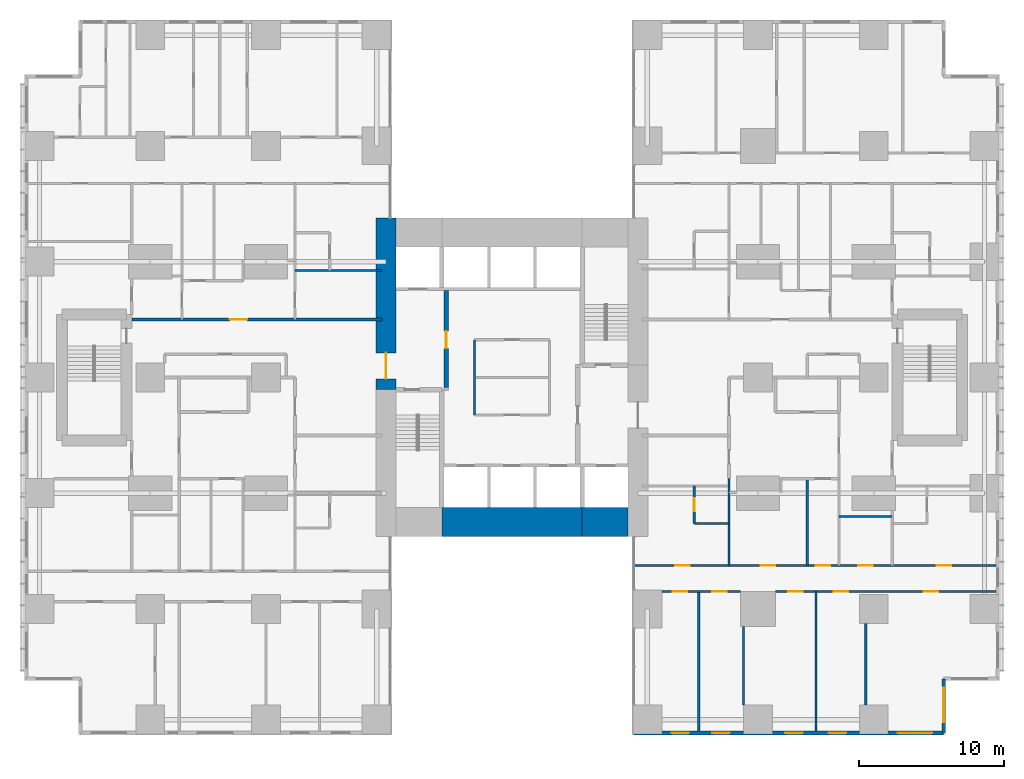
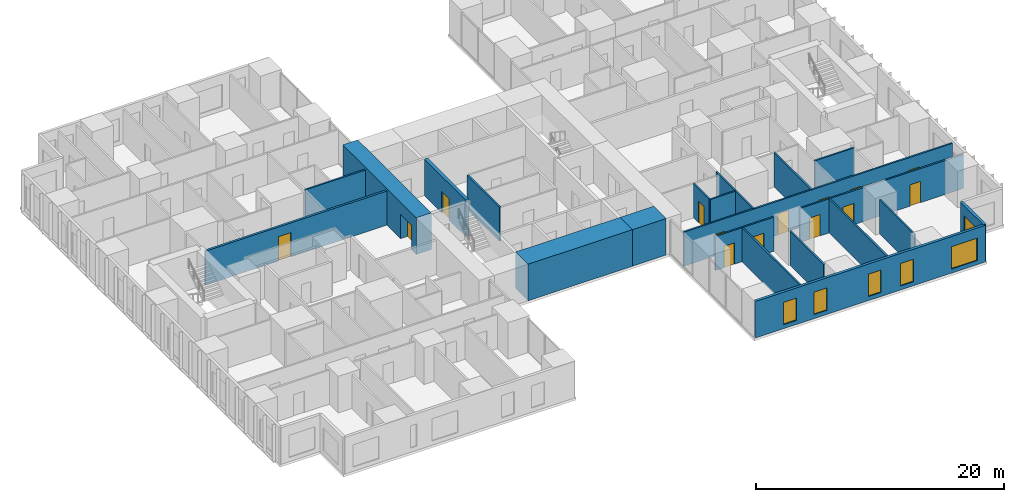
# One storey, part 14 of 20: 21 walls, 14 doors, 6 windows, 20 openings.
"""IFC4 building model written with IfcOpenShell, lengths in metres."""

from ifc_helpers import new_model, si_unit, direction, frame, frame_2d, origin, place, context, subcontext, project, spatial, rectangle, extrude, material, layer, layer_set, type_object, element, fill, save


model = new_model("IFC4")

# Units and contexts
model_context = context("Model", 3, precision=1e-05, world=origin(), true_north=direction((0.0, 1.0)))
body_context = subcontext(model_context, "Body", "Model", "MODEL_VIEW")
ifc_project = project(units=[si_unit("LENGTHUNIT", "METRE"), si_unit("AREAUNIT", "SQUARE_METRE"), si_unit("VOLUMEUNIT", "CUBIC_METRE"), si_unit("PLANEANGLEUNIT", "RADIAN"), si_unit("MASSUNIT", "GRAM", prefix="KILO")], contexts=[model_context])

# Site, building, storey
site_placement = place(None, origin())
site = spatial("IfcSite", under=ifc_project, at=site_placement, CompositionType="ELEMENT")
building_placement = place(site_placement, origin())
building = spatial("IfcBuilding", under=site, at=building_placement, Name="Cleftline Residences", CompositionType="ELEMENT")
storey_placement = place(building_placement, frame((0.0, 0.0, 117.800048828125)))
storey = spatial("IfcBuildingStorey", under=building, at=storey_placement, Name="L30", CompositionType="ELEMENT", Elevation=117.800048828125)

# Wall, opening, door
ifc_material_1 = material(Name="Concrete B70", Category="concrete")
ifc_layer_1 = layer(ifc_material_1, 1.39990234375)
ifc_layer_set_1 = layer_set([ifc_layer_1], Name="CORE WALL 1400")
wall_type_1 = type_object("IfcWallType", Name="CORE WALL 1400", PredefinedType="SHEAR", material=ifc_layer_set_1)
wall_1_placement = place(storey_placement, frame((24.300048828125, 23.14990234375, 0.0), z_axis=(0.0, 0.0, 1.0), x_axis=(0.0, 1.0, 0.0)))
wall_1 = element("IfcWall", 1, at=wall_1_placement, inside=storey, type_object=wall_type_1, Name="Core wall W", PredefinedType="SHEAR", context=body_context, shape_type="SweptSolid", body=[
    extrude(rectangle(XDim=11.85009765625, YDim=1.39990234375, at=frame_2d((5.925048828125, 0.0))), origin(), (0.0, 0.0, 1.0), 3.599853515625),
])
opening_1_placement = place(wall_1_placement, frame((0.75, 0.0, 0.0)))
opening_1 = element("IfcOpeningElement", 2, at=opening_1_placement, cuts=wall_1, Name="Opening D7", PredefinedType="OPENING", context=body_context, shape_type="SweptSolid", body=[
    extrude(rectangle(XDim=1.800048828125, YDim=2.39990234375, at=frame_2d((0.89990234375, 1.199951171875))), frame((0.0, 0.7099609375, 0.0), z_axis=(0.0, -1.0, 0.0), x_axis=(1.0, 0.0, 0.0)), (0.0, 0.0, 1.0), 1.419921875),
])
ifc_material_2 = material(Name="Steel", Category="steel")
door_type_1 = type_object("IfcDoorType", Name="WING DOOR 1800X2400", OperationType="DOUBLE_DOOR_DOUBLE_SWING", PredefinedType="DOOR", material=ifc_material_2)
door_1_placement = place(opening_1_placement, origin())
door_1 = element("IfcDoor", 3, at=door_1_placement, inside=storey, type_object=door_type_1, Name="West wing door", OperationType="DOUBLE_DOOR_DOUBLE_SWING", OverallHeight=2.39990234375, OverallWidth=1.800048828125, PredefinedType="DOOR", context=body_context, shape_type="SweptSolid", body=[
    extrude(rectangle(XDim=1.800048828125, YDim=2.39990234375, at=frame_2d((0.89990234375, 1.199951171875))), frame((0.0, 0.02490234375, 0.0), z_axis=(0.0, -1.0, 0.0), x_axis=(1.0, 0.0, 0.0)), (0.0, 0.0, 1.0), 0.050048828125),
])
fill(opening_1, door_1)

# Walls
ifc_material_3 = material(Name="Concrete B70", Category="concrete")
ifc_layer_2 = layer(ifc_material_3, 2.0)
ifc_layer_set_2 = layer_set([ifc_layer_2], Name="CORE WALL 2000")
wall_type_2 = type_object("IfcWallType", Name="CORE WALL 2000", PredefinedType="SHEAR", material=ifc_layer_set_2)
wall_2_placement = place(storey_placement, frame((28.14990234375, 14.0, 0.0), z_axis=(0.0, 0.0, 1.0), x_axis=(1.0, 0.0, 0.0)))
element("IfcWall", 4, at=wall_2_placement, inside=storey, type_object=wall_type_2, Name="Core wall S2", PredefinedType="SHEAR", context=body_context, shape_type="SweptSolid", body=[
    extrude(rectangle(XDim=9.7001953125, YDim=2.0, at=frame_2d((4.85009765625, 0.0))), origin(), (0.0, 0.0, 1.0), 3.599853515625),
])
wall_3_placement = place(storey_placement, frame((37.85009765625, 14.0, 0.0), z_axis=(0.0, 0.0, 1.0), x_axis=(1.0, 0.0, 0.0)))
element("IfcWall", 5, at=wall_3_placement, inside=storey, type_object=wall_type_2, Name="Core wall S3", PredefinedType="SHEAR", context=body_context, shape_type="SweptSolid", body=[
    extrude(rectangle(XDim=3.14990234375, YDim=2.0, at=frame_2d((1.574951171875, 0.0))), origin(), (0.0, 0.0, 1.0), 3.599853515625),
])

# Wall, openings, windows
ifc_material_4 = material(Name="Rendered reinforced concrete blockwork", Category="masonry")
ifc_layer_3 = layer(ifc_material_4, 0.25)
ifc_layer_set_3 = layer_set([ifc_layer_3], Name="EXTERNAL WALL 250")
wall_type_3 = type_object("IfcWallType", Name="EXTERNAL WALL 250", PredefinedType="SOLIDWALL", material=ifc_layer_set_3)
wall_4_placement = place(storey_placement, frame((41.425048828125, -0.574951171875, 0.0), z_axis=(0.0, 0.0, 1.0), x_axis=(1.0, 0.0, 0.0)))
wall_4 = element("IfcWall", 6, at=wall_4_placement, inside=storey, type_object=wall_type_3, Name="External wall", PredefinedType="SOLIDWALL", context=body_context, shape_type="SweptSolid", body=[
    extrude(rectangle(XDim=21.39990234375, YDim=0.25, at=frame_2d((10.699951171875, 0.0))), origin(), (0.0, 0.0, 1.0), 3.599853515625),
])
opening_2_placement = place(wall_4_placement, frame((2.60009765625, 0.0, 0.39990234375)))
opening_2 = element("IfcOpeningElement", 7, at=opening_2_placement, cuts=wall_4, Name="Opening W11", PredefinedType="OPENING", context=body_context, shape_type="SweptSolid", body=[
    extrude(rectangle(XDim=1.199951171875, YDim=2.199951171875, at=frame_2d((0.60009765625, 1.10009765625))), frame((0.0, 0.135009765625, 0.0), z_axis=(0.0, -1.0, 0.0), x_axis=(1.0, 0.0, 0.0)), (0.0, 0.0, 1.0), 0.27001953125),
])
opening_3_placement = place(wall_4_placement, frame((5.425048828125, 0.0, 0.39990234375)))
opening_3 = element("IfcOpeningElement", 8, at=opening_3_placement, cuts=wall_4, Name="Opening W11", PredefinedType="OPENING", context=body_context, shape_type="SweptSolid", body=[
    extrude(rectangle(XDim=1.199951171875, YDim=2.199951171875, at=frame_2d((0.60009765625, 1.10009765625))), frame((0.0, 0.135009765625, 0.0), z_axis=(0.0, -1.0, 0.0), x_axis=(1.0, 0.0, 0.0)), (0.0, 0.0, 1.0), 0.27001953125),
])
opening_4_placement = place(wall_4_placement, frame((10.47509765625, 0.0, 0.39990234375)))
opening_4 = element("IfcOpeningElement", 9, at=opening_4_placement, cuts=wall_4, Name="Opening W11", PredefinedType="OPENING", context=body_context, shape_type="SweptSolid", body=[
    extrude(rectangle(XDim=1.199951171875, YDim=2.199951171875, at=frame_2d((0.60009765625, 1.10009765625))), frame((0.0, 0.135009765625, 0.0), z_axis=(0.0, -1.0, 0.0), x_axis=(1.0, 0.0, 0.0)), (0.0, 0.0, 1.0), 0.27001953125),
])
opening_5_placement = place(wall_4_placement, frame((13.47509765625, 0.0, 0.39990234375)))
opening_5 = element("IfcOpeningElement", 10, at=opening_5_placement, cuts=wall_4, Name="Opening W11", PredefinedType="OPENING", context=body_context, shape_type="SweptSolid", body=[
    extrude(rectangle(XDim=1.199951171875, YDim=2.199951171875, at=frame_2d((0.60009765625, 1.10009765625))), frame((0.0, 0.135009765625, 0.0), z_axis=(0.0, -1.0, 0.0), x_axis=(1.0, 0.0, 0.0)), (0.0, 0.0, 1.0), 0.27001953125),
])
opening_6_placement = place(wall_4_placement, frame((18.22509765625, 0.0, 0.39990234375)))
opening_6 = element("IfcOpeningElement", 11, at=opening_6_placement, cuts=wall_4, Name="Opening W12", PredefinedType="OPENING", context=body_context, shape_type="SweptSolid", body=[
    extrude(rectangle(XDim=2.39990234375, YDim=2.199951171875, at=frame_2d((1.199951171875, 1.10009765625))), frame((0.0, 0.135009765625, 0.0), z_axis=(0.0, -1.0, 0.0), x_axis=(1.0, 0.0, 0.0)), (0.0, 0.0, 1.0), 0.27001953125),
])
ifc_material_5 = material(Name="Aluminium frame, clear double glazing", Category="aluminium")
window_type_1 = type_object("IfcWindowType", Name="WINDOW 1200X2200", PartitioningType="DOUBLE_PANEL_VERTICAL", PredefinedType="WINDOW", material=ifc_material_5)
window_1_placement = place(opening_2_placement, origin())
window_1 = element("IfcWindow", 12, at=window_1_placement, inside=storey, type_object=window_type_1, Name="Window", OverallHeight=2.199951171875, OverallWidth=1.199951171875, PartitioningType="SINGLE_PANEL", PredefinedType="WINDOW", context=body_context, shape_type="SweptSolid", body=[
    extrude(rectangle(XDim=1.199951171875, YDim=2.199951171875, at=frame_2d((0.60009765625, 1.10009765625))), frame((0.0, 0.030029296875, 0.0), z_axis=(0.0, -1.0, 0.0), x_axis=(1.0, 0.0, 0.0)), (0.0, 0.0, 1.0), 0.06005859375),
])
fill(opening_2, window_1)
window_2_placement = place(opening_3_placement, origin())
window_2 = element("IfcWindow", 13, at=window_2_placement, inside=storey, type_object=window_type_1, Name="Window", OverallHeight=2.199951171875, OverallWidth=1.199951171875, PartitioningType="SINGLE_PANEL", PredefinedType="WINDOW", context=body_context, shape_type="SweptSolid", body=[
    extrude(rectangle(XDim=1.199951171875, YDim=2.199951171875, at=frame_2d((0.60009765625, 1.10009765625))), frame((0.0, 0.030029296875, 0.0), z_axis=(0.0, -1.0, 0.0), x_axis=(1.0, 0.0, 0.0)), (0.0, 0.0, 1.0), 0.06005859375),
])
fill(opening_3, window_2)
window_3_placement = place(opening_4_placement, origin())
window_3 = element("IfcWindow", 14, at=window_3_placement, inside=storey, type_object=window_type_1, Name="Window", OverallHeight=2.199951171875, OverallWidth=1.199951171875, PartitioningType="SINGLE_PANEL", PredefinedType="WINDOW", context=body_context, shape_type="SweptSolid", body=[
    extrude(rectangle(XDim=1.199951171875, YDim=2.199951171875, at=frame_2d((0.60009765625, 1.10009765625))), frame((0.0, 0.030029296875, 0.0), z_axis=(0.0, -1.0, 0.0), x_axis=(1.0, 0.0, 0.0)), (0.0, 0.0, 1.0), 0.06005859375),
])
fill(opening_4, window_3)
window_4_placement = place(opening_5_placement, origin())
window_4 = element("IfcWindow", 15, at=window_4_placement, inside=storey, type_object=window_type_1, Name="Window", OverallHeight=2.199951171875, OverallWidth=1.199951171875, PartitioningType="SINGLE_PANEL", PredefinedType="WINDOW", context=body_context, shape_type="SweptSolid", body=[
    extrude(rectangle(XDim=1.199951171875, YDim=2.199951171875, at=frame_2d((0.60009765625, 1.10009765625))), frame((0.0, 0.030029296875, 0.0), z_axis=(0.0, -1.0, 0.0), x_axis=(1.0, 0.0, 0.0)), (0.0, 0.0, 1.0), 0.06005859375),
])
fill(opening_5, window_4)
ifc_material_6 = material(Name="Aluminium frame, clear double glazing", Category="aluminium")
window_type_2 = type_object("IfcWindowType", Name="WINDOW 2400X2200", PartitioningType="DOUBLE_PANEL_VERTICAL", PredefinedType="WINDOW", material=ifc_material_6)
window_5_placement = place(opening_6_placement, origin())
window_5 = element("IfcWindow", 16, at=window_5_placement, inside=storey, type_object=window_type_2, Name="Window", OverallHeight=2.199951171875, OverallWidth=2.39990234375, PartitioningType="SINGLE_PANEL", PredefinedType="WINDOW", context=body_context, shape_type="SweptSolid", body=[
    extrude(rectangle(XDim=2.39990234375, YDim=2.199951171875, at=frame_2d((1.199951171875, 1.10009765625))), frame((0.0, 0.030029296875, 0.0), z_axis=(0.0, -1.0, 0.0), x_axis=(1.0, 0.0, 0.0)), (0.0, 0.0, 1.0), 0.06005859375),
])
fill(opening_6, window_5)

# Wall, opening, window
wall_5_placement = place(storey_placement, frame((62.824951171875, -0.574951171875, 0.0), z_axis=(0.0, 0.0, 1.0), x_axis=(0.0, 1.0, 0.0)))
wall_5 = element("IfcWall", 17, at=wall_5_placement, inside=storey, type_object=wall_type_3, Name="External wall", PredefinedType="SOLIDWALL", context=body_context, shape_type="SweptSolid", body=[
    extrude(rectangle(XDim=3.75, YDim=0.25, at=frame_2d((1.875, 0.0))), origin(), (0.0, 0.0, 1.0), 3.599853515625),
])
opening_7_placement = place(wall_5_placement, frame((0.737548828125, 0.0, 0.39990234375)))
opening_7 = element("IfcOpeningElement", 18, at=opening_7_placement, cuts=wall_5, Name="Opening W12", PredefinedType="OPENING", context=body_context, shape_type="SweptSolid", body=[
    extrude(rectangle(XDim=2.39990234375, YDim=2.199951171875, at=frame_2d((1.199951171875, 1.10009765625))), frame((0.0, 0.135009765625, 0.0), z_axis=(0.0, -1.0, 0.0), x_axis=(1.0, 0.0, 0.0)), (0.0, 0.0, 1.0), 0.27001953125),
])
window_6_placement = place(opening_7_placement, origin())
window_6 = element("IfcWindow", 19, at=window_6_placement, inside=storey, type_object=window_type_2, Name="Window", OverallHeight=2.199951171875, OverallWidth=2.39990234375, PartitioningType="SINGLE_PANEL", PredefinedType="WINDOW", context=body_context, shape_type="SweptSolid", body=[
    extrude(rectangle(XDim=2.39990234375, YDim=2.199951171875, at=frame_2d((1.199951171875, 1.10009765625))), frame((0.0, 0.030029296875, 0.0), z_axis=(0.0, -1.0, 0.0), x_axis=(1.0, 0.0, 0.0)), (0.0, 0.0, 1.0), 0.06005859375),
])
fill(opening_7, window_6)

# Wall, opening, door
ifc_material_7 = material(Name="Concrete blockwork, fire rated", Category="masonry")
ifc_layer_4 = layer(ifc_material_7, 0.199951171875)
ifc_layer_set_4 = layer_set([ifc_layer_4], Name="FIRE WALL 200")
wall_type_4 = type_object("IfcWallType", Name="FIRE WALL 200", PredefinedType="PARTITIONING", material=ifc_layer_set_4)
wall_6_placement = place(storey_placement, frame((6.72509765625, 28.0, 0.0), z_axis=(0.0, 0.0, 1.0), x_axis=(1.0, 0.0, 0.0)))
wall_6 = element("IfcWall", 20, at=wall_6_placement, inside=storey, type_object=wall_type_4, Name="Fire separating wall", PredefinedType="PARTITIONING", context=body_context, shape_type="SweptSolid", body=[
    extrude(rectangle(XDim=17.27490234375, YDim=0.199951171875, at=frame_2d((8.637451171875, 0.0))), origin(), (0.0, 0.0, 1.0), 3.349853515625),
])
opening_8_placement = place(wall_6_placement, frame((6.77490234375, 0.0, 0.0)))
opening_8 = element("IfcOpeningElement", 21, at=opening_8_placement, cuts=wall_6, Name="Opening D4", PredefinedType="OPENING", context=body_context, shape_type="SweptSolid", body=[
    extrude(rectangle(XDim=1.199951171875, YDim=2.39990234375, at=frame_2d((0.60009765625, 1.199951171875))), frame((0.0, 0.10986328125, 0.0), z_axis=(0.0, -1.0, 0.0), x_axis=(1.0, 0.0, 0.0)), (0.0, 0.0, 1.0), 0.219970703125),
])
ifc_material_8 = material(Name="Timber veneer on solid core", Category="wood")
door_type_2 = type_object("IfcDoorType", Name="APARTMENT ENTRANCE DOOR 1200X2400", OperationType="SINGLE_SWING_RIGHT", PredefinedType="DOOR", material=ifc_material_8)
door_2_placement = place(opening_8_placement, origin())
door_2 = element("IfcDoor", 22, at=door_2_placement, inside=storey, type_object=door_type_2, Name="Door to residence entrance (gallery)", OperationType="SINGLE_SWING_RIGHT", OverallHeight=2.39990234375, OverallWidth=1.199951171875, PredefinedType="DOOR", context=body_context, shape_type="SweptSolid", body=[
    extrude(rectangle(XDim=1.199951171875, YDim=2.39990234375, at=frame_2d((0.60009765625, 1.199951171875))), frame((0.0, 0.02490234375, 0.0), z_axis=(0.0, -1.0, 0.0), x_axis=(1.0, 0.0, 0.0)), (0.0, 0.0, 1.0), 0.050048828125),
])
fill(opening_8, door_2)

# Wall, openings, doors
ifc_material_9 = material(Name="Gypsum board on steel studs", Category="steel")
ifc_layer_5 = layer(ifc_material_9, 0.14990234375)
ifc_layer_set_5 = layer_set([ifc_layer_5], Name="PARTITION 150")
wall_type_5 = type_object("IfcWallType", Name="PARTITION 150", PredefinedType="PARTITIONING", material=ifc_layer_set_5)
wall_7_placement = place(storey_placement, frame((43.35009765625, 9.199951171875, 0.0), z_axis=(0.0, 0.0, 1.0), x_axis=(1.0, 0.0, 0.0)))
wall_7 = element("IfcWall", 23, at=wall_7_placement, inside=storey, type_object=wall_type_5, Name="Partition", PredefinedType="PARTITIONING", context=body_context, shape_type="SweptSolid", body=[
    extrude(rectangle(XDim=5.449951171875, YDim=0.14990234375, at=frame_2d((2.72509765625, 0.0))), origin(), (0.0, 0.0, 1.0), 3.349853515625),
])
opening_9_placement = place(wall_7_placement, frame((3.5, 0.0, 0.0)))
opening_9 = element("IfcOpeningElement", 24, at=opening_9_placement, cuts=wall_7, Name="Opening D2", PredefinedType="OPENING", context=body_context, shape_type="SweptSolid", body=[
    extrude(rectangle(XDim=1.0, YDim=2.10009765625, at=frame_2d((0.5, 1.050048828125))), frame((0.0, 0.0849609375, 0.0), z_axis=(0.0, -1.0, 0.0), x_axis=(1.0, 0.0, 0.0)), (0.0, 0.0, 1.0), 0.169921875),
])
opening_10_placement = place(wall_7_placement, frame((0.77490234375, 0.0, 0.0)))
opening_10 = element("IfcOpeningElement", 25, at=opening_10_placement, cuts=wall_7, Name="Opening D2", PredefinedType="OPENING", context=body_context, shape_type="SweptSolid", body=[
    extrude(rectangle(XDim=1.0, YDim=2.10009765625, at=frame_2d((0.5, 1.050048828125))), frame((0.0, 0.0849609375, 0.0), z_axis=(0.0, -1.0, 0.0), x_axis=(1.0, 0.0, 0.0)), (0.0, 0.0, 1.0), 0.169921875),
])
ifc_material_10 = material(Name="Timber veneer on solid core", Category="wood")
door_type_3 = type_object("IfcDoorType", Name="DOOR 1000X2100", OperationType="SINGLE_SWING_LEFT", PredefinedType="DOOR", material=ifc_material_10)
door_3_placement = place(opening_9_placement, origin())
door_3 = element("IfcDoor", 26, at=door_3_placement, inside=storey, type_object=door_type_3, Name="Door to family dining room", OperationType="SINGLE_SWING_LEFT", OverallHeight=2.10009765625, OverallWidth=1.0, PredefinedType="DOOR", context=body_context, shape_type="SweptSolid", body=[
    extrude(rectangle(XDim=1.0, YDim=2.10009765625, at=frame_2d((0.5, 1.050048828125))), frame((0.0, 0.02490234375, 0.0), z_axis=(0.0, -1.0, 0.0), x_axis=(1.0, 0.0, 0.0)), (0.0, 0.0, 1.0), 0.050048828125),
])
fill(opening_9, door_3)
door_4_placement = place(opening_10_placement, origin())
door_4 = element("IfcDoor", 27, at=door_4_placement, inside=storey, type_object=door_type_3, Name="Door to show kitchen", OperationType="SINGLE_SWING_RIGHT", OverallHeight=2.10009765625, OverallWidth=1.0, PredefinedType="DOOR", context=body_context, shape_type="SweptSolid", body=[
    extrude(rectangle(XDim=1.0, YDim=2.10009765625, at=frame_2d((0.5, 1.050048828125))), frame((0.0, 0.02490234375, 0.0), z_axis=(0.0, -1.0, 0.0), x_axis=(1.0, 0.0, 0.0)), (0.0, 0.0, 1.0), 0.050048828125),
])
fill(opening_10, door_4)

wall_8_placement = place(storey_placement, frame((51.199951171875, 9.199951171875, 0.0), z_axis=(0.0, 0.0, 1.0), x_axis=(1.0, 0.0, 0.0)))
wall_8 = element("IfcWall", 28, at=wall_8_placement, inside=storey, type_object=wall_type_5, Name="Partition", PredefinedType="PARTITIONING", context=body_context, shape_type="SweptSolid", body=[
    extrude(rectangle(XDim=15.25, YDim=0.14990234375, at=frame_2d((7.625, 0.0))), origin(), (0.0, 0.0, 1.0), 3.349853515625),
])
opening_11_placement = place(wall_8_placement, frame((10.25, 0.0, 0.0)))
opening_11 = element("IfcOpeningElement", 29, at=opening_11_placement, cuts=wall_8, Name="Opening D2", PredefinedType="OPENING", context=body_context, shape_type="SweptSolid", body=[
    extrude(rectangle(XDim=1.0, YDim=2.10009765625, at=frame_2d((0.5, 1.050048828125))), frame((0.0, 0.0849609375, 0.0), z_axis=(0.0, -1.0, 0.0), x_axis=(1.0, 0.0, 0.0)), (0.0, 0.0, 1.0), 0.169921875),
])
opening_12_placement = place(wall_8_placement, frame((4.02490234375, 0.0, 0.0)))
opening_12 = element("IfcOpeningElement", 30, at=opening_12_placement, cuts=wall_8, Name="Opening D2", PredefinedType="OPENING", context=body_context, shape_type="SweptSolid", body=[
    extrude(rectangle(XDim=1.0, YDim=2.10009765625, at=frame_2d((0.5, 1.050048828125))), frame((0.0, 0.0849609375, 0.0), z_axis=(0.0, -1.0, 0.0), x_axis=(1.0, 0.0, 0.0)), (0.0, 0.0, 1.0), 0.169921875),
])
opening_13_placement = place(wall_8_placement, frame((0.89990234375, 0.0, 0.0)))
opening_13 = element("IfcOpeningElement", 31, at=opening_13_placement, cuts=wall_8, Name="Opening D2", PredefinedType="OPENING", context=body_context, shape_type="SweptSolid", body=[
    extrude(rectangle(XDim=1.0, YDim=2.10009765625, at=frame_2d((0.5, 1.050048828125))), frame((0.0, 0.0849609375, 0.0), z_axis=(0.0, -1.0, 0.0), x_axis=(1.0, 0.0, 0.0)), (0.0, 0.0, 1.0), 0.169921875),
])
door_5_placement = place(opening_11_placement, origin())
door_5 = element("IfcDoor", 32, at=door_5_placement, inside=storey, type_object=door_type_3, Name="Door to sea-view lounge", OperationType="SINGLE_SWING_LEFT", OverallHeight=2.10009765625, OverallWidth=1.0, PredefinedType="DOOR", context=body_context, shape_type="SweptSolid", body=[
    extrude(rectangle(XDim=1.0, YDim=2.10009765625, at=frame_2d((0.5, 1.050048828125))), frame((0.0, 0.02490234375, 0.0), z_axis=(0.0, -1.0, 0.0), x_axis=(1.0, 0.0, 0.0)), (0.0, 0.0, 1.0), 0.050048828125),
])
fill(opening_11, door_5)
door_6_placement = place(opening_12_placement, origin())
door_6 = element("IfcDoor", 33, at=door_6_placement, inside=storey, type_object=door_type_3, Name="Door to library", OperationType="SINGLE_SWING_RIGHT", OverallHeight=2.10009765625, OverallWidth=1.0, PredefinedType="DOOR", context=body_context, shape_type="SweptSolid", body=[
    extrude(rectangle(XDim=1.0, YDim=2.10009765625, at=frame_2d((0.5, 1.050048828125))), frame((0.0, 0.02490234375, 0.0), z_axis=(0.0, -1.0, 0.0), x_axis=(1.0, 0.0, 0.0)), (0.0, 0.0, 1.0), 0.050048828125),
])
fill(opening_12, door_6)
door_7_placement = place(opening_13_placement, origin())
door_7 = element("IfcDoor", 34, at=door_7_placement, inside=storey, type_object=door_type_3, Name="Door to dining room", OperationType="SINGLE_SWING_RIGHT", OverallHeight=2.10009765625, OverallWidth=1.0, PredefinedType="DOOR", context=body_context, shape_type="SweptSolid", body=[
    extrude(rectangle(XDim=1.0, YDim=2.10009765625, at=frame_2d((0.5, 1.050048828125))), frame((0.0, 0.02490234375, 0.0), z_axis=(0.0, -1.0, 0.0), x_axis=(1.0, 0.0, 0.0)), (0.0, 0.0, 1.0), 0.050048828125),
])
fill(opening_13, door_7)

wall_9_placement = place(storey_placement, frame((41.43896484375, 11.0, 0.0), z_axis=(0.0, 0.0, 1.0), x_axis=(1.0, 0.0, 0.0)))
wall_9 = element("IfcWall", 35, at=wall_9_placement, inside=storey, type_object=wall_type_5, Name="Partition", PredefinedType="PARTITIONING", context=body_context, shape_type="SweptSolid", body=[
    extrude(rectangle(XDim=25.010986328125, YDim=0.14990234375, at=frame_2d((12.50537109375, 0.0))), origin(), (0.0, 0.0, 1.0), 3.349853515625),
])
opening_14_placement = place(wall_9_placement, frame((12.56103515625, 0.0, 0.0)))
opening_14 = element("IfcOpeningElement", 36, at=opening_14_placement, cuts=wall_9, Name="Opening D2", PredefinedType="OPENING", context=body_context, shape_type="SweptSolid", body=[
    extrude(rectangle(XDim=1.0, YDim=2.10009765625, at=frame_2d((0.5, 1.050048828125))), frame((0.0, 0.0849609375, 0.0), z_axis=(0.0, -1.0, 0.0), x_axis=(1.0, 0.0, 0.0)), (0.0, 0.0, 1.0), 0.169921875),
])
opening_15_placement = place(wall_9_placement, frame((20.923583984375, 0.0, 0.0)))
opening_15 = element("IfcOpeningElement", 37, at=opening_15_placement, cuts=wall_9, Name="Opening D2", PredefinedType="OPENING", context=body_context, shape_type="SweptSolid", body=[
    extrude(rectangle(XDim=1.0, YDim=2.10009765625, at=frame_2d((0.5, 1.050048828125))), frame((0.0, 0.0849609375, 0.0), z_axis=(0.0, -1.0, 0.0), x_axis=(1.0, 0.0, 0.0)), (0.0, 0.0, 1.0), 0.169921875),
])
opening_16_placement = place(wall_9_placement, frame((15.49853515625, 0.0, 0.0)))
opening_16 = element("IfcOpeningElement", 38, at=opening_16_placement, cuts=wall_9, Name="Opening D2", PredefinedType="OPENING", context=body_context, shape_type="SweptSolid", body=[
    extrude(rectangle(XDim=1.0, YDim=2.10009765625, at=frame_2d((0.5, 1.050048828125))), frame((0.0, 0.0849609375, 0.0), z_axis=(0.0, -1.0, 0.0), x_axis=(1.0, 0.0, 0.0)), (0.0, 0.0, 1.0), 0.169921875),
])
opening_17_placement = place(wall_9_placement, frame((8.760986328125, 0.0, 0.0)))
opening_17 = element("IfcOpeningElement", 39, at=opening_17_placement, cuts=wall_9, Name="Opening D2", PredefinedType="OPENING", context=body_context, shape_type="SweptSolid", body=[
    extrude(rectangle(XDim=1.0, YDim=2.10009765625, at=frame_2d((0.5, 1.050048828125))), frame((0.0, 0.0849609375, 0.0), z_axis=(0.0, -1.0, 0.0), x_axis=(1.0, 0.0, 0.0)), (0.0, 0.0, 1.0), 0.169921875),
])
opening_18_placement = place(wall_9_placement, frame((2.8359375, 0.0, 0.0)))
opening_18 = element("IfcOpeningElement", 40, at=opening_18_placement, cuts=wall_9, Name="Opening D2", PredefinedType="OPENING", context=body_context, shape_type="SweptSolid", body=[
    extrude(rectangle(XDim=1.0, YDim=2.10009765625, at=frame_2d((0.5, 1.050048828125))), frame((0.0, 0.0849609375, 0.0), z_axis=(0.0, -1.0, 0.0), x_axis=(1.0, 0.0, 0.0)), (0.0, 0.0, 1.0), 0.169921875),
])
door_8_placement = place(opening_14_placement, origin())
door_8 = element("IfcDoor", 41, at=door_8_placement, inside=storey, type_object=door_type_3, Name="Door to residence hall", OperationType="SINGLE_SWING_LEFT", OverallHeight=2.10009765625, OverallWidth=1.0, PredefinedType="DOOR", context=body_context, shape_type="SweptSolid", body=[
    extrude(rectangle(XDim=1.0, YDim=2.10009765625, at=frame_2d((0.5, 1.050048828125))), frame((0.0, 0.02490234375, 0.0), z_axis=(0.0, -1.0, 0.0), x_axis=(1.0, 0.0, 0.0)), (0.0, 0.0, 1.0), 0.050048828125),
])
fill(opening_14, door_8)
door_9_placement = place(opening_15_placement, origin())
door_9 = element("IfcDoor", 42, at=door_9_placement, inside=storey, type_object=door_type_3, Name="Door to master bedroom", OperationType="SINGLE_SWING_LEFT", OverallHeight=2.10009765625, OverallWidth=1.0, PredefinedType="DOOR", context=body_context, shape_type="SweptSolid", body=[
    extrude(rectangle(XDim=1.0, YDim=2.10009765625, at=frame_2d((0.5, 1.050048828125))), frame((0.0, 0.02490234375, 0.0), z_axis=(0.0, -1.0, 0.0), x_axis=(1.0, 0.0, 0.0)), (0.0, 0.0, 1.0), 0.050048828125),
])
fill(opening_15, door_9)
door_10_placement = place(opening_16_placement, origin())
door_10 = element("IfcDoor", 43, at=door_10_placement, inside=storey, type_object=door_type_3, Name="Door to wet kitchen", OperationType="SINGLE_SWING_LEFT", OverallHeight=2.10009765625, OverallWidth=1.0, PredefinedType="DOOR", context=body_context, shape_type="SweptSolid", body=[
    extrude(rectangle(XDim=1.0, YDim=2.10009765625, at=frame_2d((0.5, 1.050048828125))), frame((0.0, 0.02490234375, 0.0), z_axis=(0.0, -1.0, 0.0), x_axis=(1.0, 0.0, 0.0)), (0.0, 0.0, 1.0), 0.050048828125),
])
fill(opening_16, door_10)
door_11_placement = place(opening_17_placement, origin())
door_11 = element("IfcDoor", 44, at=door_11_placement, inside=storey, type_object=door_type_3, Name="Door to family room", OperationType="SINGLE_SWING_RIGHT", OverallHeight=2.10009765625, OverallWidth=1.0, PredefinedType="DOOR", context=body_context, shape_type="SweptSolid", body=[
    extrude(rectangle(XDim=1.0, YDim=2.10009765625, at=frame_2d((0.5, 1.050048828125))), frame((0.0, 0.02490234375, 0.0), z_axis=(0.0, -1.0, 0.0), x_axis=(1.0, 0.0, 0.0)), (0.0, 0.0, 1.0), 0.050048828125),
])
fill(opening_17, door_11)
door_12_placement = place(opening_18_placement, origin())
door_12 = element("IfcDoor", 45, at=door_12_placement, inside=storey, type_object=door_type_3, Name="Door to bedroom 2", OperationType="SINGLE_SWING_RIGHT", OverallHeight=2.10009765625, OverallWidth=1.0, PredefinedType="DOOR", context=body_context, shape_type="SweptSolid", body=[
    extrude(rectangle(XDim=1.0, YDim=2.10009765625, at=frame_2d((0.5, 1.050048828125))), frame((0.0, 0.02490234375, 0.0), z_axis=(0.0, -1.0, 0.0), x_axis=(1.0, 0.0, 0.0)), (0.0, 0.0, 1.0), 0.050048828125),
])
fill(opening_18, door_12)

# Walls
wall_10_placement = place(storey_placement, frame((45.60009765625, 13.89990234375, 0.0), z_axis=(0.0, 0.0, 1.0), x_axis=(1.0, 0.0, 0.0)))
element("IfcWall", 46, at=wall_10_placement, inside=storey, type_object=wall_type_5, Name="Partition", PredefinedType="PARTITIONING", context=body_context, shape_type="SweptSolid", body=[
    extrude(rectangle(XDim=2.39990234375, YDim=0.14990234375, at=frame_2d((1.199951171875, 0.0))), origin(), (0.0, 0.0, 1.0), 3.349853515625),
])
wall_11_placement = place(storey_placement, frame((55.60009765625, 14.39990234375, 0.0), z_axis=(0.0, 0.0, 1.0), x_axis=(1.0, 0.0, 0.0)))
element("IfcWall", 47, at=wall_11_placement, inside=storey, type_object=wall_type_5, Name="Partition", PredefinedType="PARTITIONING", context=body_context, shape_type="SweptSolid", body=[
    extrude(rectangle(XDim=3.6748046875, YDim=0.14990234375, at=frame_2d((1.83740234375, 0.0))), origin(), (0.0, 0.0, 1.0), 3.349853515625),
])
wall_12_placement = place(storey_placement, frame((18.0, 31.39990234375, 0.0), z_axis=(0.0, 0.0, 1.0), x_axis=(1.0, 0.0, 0.0)))
element("IfcWall", 48, at=wall_12_placement, inside=storey, type_object=wall_type_5, Name="Partition", PredefinedType="PARTITIONING", context=body_context, shape_type="SweptSolid", body=[
    extrude(rectangle(XDim=6.0, YDim=0.14990234375, at=frame_2d((3.0, 0.0))), origin(), (0.0, 0.0, 1.0), 3.349853515625),
])

# Wall, opening, door
wall_13_placement = place(storey_placement, frame((45.60009765625, 13.89990234375, 0.0), z_axis=(0.0, 0.0, 1.0), x_axis=(0.0, 1.0, 0.0)))
wall_13 = element("IfcWall", 49, at=wall_13_placement, inside=storey, type_object=wall_type_5, Name="Partition", PredefinedType="PARTITIONING", context=body_context, shape_type="SweptSolid", body=[
    extrude(rectangle(XDim=2.60009765625, YDim=0.14990234375, at=frame_2d((1.300048828125, 0.0))), origin(), (0.0, 0.0, 1.0), 3.349853515625),
])
opening_19_placement = place(wall_13_placement, frame((0.85009765625, 0.0, 0.0)))
opening_19 = element("IfcOpeningElement", 50, at=opening_19_placement, cuts=wall_13, Name="Opening D1", PredefinedType="OPENING", context=body_context, shape_type="SweptSolid", body=[
    extrude(rectangle(XDim=0.89990234375, YDim=2.10009765625, at=frame_2d((0.449951171875, 1.050048828125))), frame((0.0, 0.0849609375, 0.0), z_axis=(0.0, -1.0, 0.0), x_axis=(1.0, 0.0, 0.0)), (0.0, 0.0, 1.0), 0.169921875),
])
ifc_material_11 = material(Name="Timber veneer on solid core", Category="wood")
door_type_4 = type_object("IfcDoorType", Name="DOOR 900X2100", OperationType="SINGLE_SWING_LEFT", PredefinedType="DOOR", material=ifc_material_11)
door_13_placement = place(opening_19_placement, origin())
door_13 = element("IfcDoor", 51, at=door_13_placement, inside=storey, type_object=door_type_4, Name="Door to en-suite bathroom 2", OperationType="SINGLE_SWING_LEFT", OverallHeight=2.10009765625, OverallWidth=0.89990234375, PredefinedType="DOOR", context=body_context, shape_type="SweptSolid", body=[
    extrude(rectangle(XDim=0.89990234375, YDim=2.10009765625, at=frame_2d((0.449951171875, 1.050048828125))), frame((0.0, 0.02490234375, 0.0), z_axis=(0.0, -1.0, 0.0), x_axis=(1.0, 0.0, 0.0)), (0.0, 0.0, 1.0), 0.050048828125),
])
fill(opening_19, door_13)

# Walls
wall_14_placement = place(storey_placement, frame((45.89990234375, -0.449951171875, 0.0), z_axis=(0.0, 0.0, 1.0), x_axis=(0.0, 1.0, 0.0)))
element("IfcWall", 52, at=wall_14_placement, inside=storey, type_object=wall_type_5, Name="Partition", PredefinedType="PARTITIONING", context=body_context, shape_type="SweptSolid", body=[
    extrude(rectangle(XDim=9.64990234375, YDim=0.14990234375, at=frame_2d((4.824951171875, 0.0))), origin(), (0.0, 0.0, 1.0), 3.349853515625),
])
wall_15_placement = place(storey_placement, frame((48.0, 11.0, 0.0), z_axis=(0.0, 0.0, 1.0), x_axis=(0.0, 1.0, 0.0)))
element("IfcWall", 53, at=wall_15_placement, inside=storey, type_object=wall_type_5, Name="Partition", PredefinedType="PARTITIONING", context=body_context, shape_type="SweptSolid", body=[
    extrude(rectangle(XDim=6.0, YDim=0.14990234375, at=frame_2d((3.0, 0.0))), origin(), (0.0, 0.0, 1.0), 3.349853515625),
])
wall_16_placement = place(storey_placement, frame((49.0, 1.35009765625, 0.0), z_axis=(0.0, 0.0, 1.0), x_axis=(0.0, 1.0, 0.0)))
element("IfcWall", 54, at=wall_16_placement, inside=storey, type_object=wall_type_5, Name="Partition", PredefinedType="PARTITIONING", context=body_context, shape_type="SweptSolid", body=[
    extrude(rectangle(XDim=5.449951171875, YDim=0.14990234375, at=frame_2d((2.72509765625, 0.0))), origin(), (0.0, 0.0, 1.0), 3.349853515625),
])
wall_17_placement = place(storey_placement, frame((53.39990234375, 11.0, 0.0), z_axis=(0.0, 0.0, 1.0), x_axis=(0.0, 1.0, 0.0)))
element("IfcWall", 55, at=wall_17_placement, inside=storey, type_object=wall_type_5, Name="Partition", PredefinedType="PARTITIONING", context=body_context, shape_type="SweptSolid", body=[
    extrude(rectangle(XDim=6.0, YDim=0.14990234375, at=frame_2d((3.0, 0.0))), origin(), (0.0, 0.0, 1.0), 3.349853515625),
])
wall_18_placement = place(storey_placement, frame((54.0, -0.449951171875, 0.0), z_axis=(0.0, 0.0, 1.0), x_axis=(0.0, 1.0, 0.0)))
element("IfcWall", 56, at=wall_18_placement, inside=storey, type_object=wall_type_5, Name="Partition", PredefinedType="PARTITIONING", context=body_context, shape_type="SweptSolid", body=[
    extrude(rectangle(XDim=9.64990234375, YDim=0.14990234375, at=frame_2d((4.824951171875, 0.0))), origin(), (0.0, 0.0, 1.0), 3.349853515625),
])
wall_19_placement = place(storey_placement, frame((57.449951171875, 1.35009765625, 0.0), z_axis=(0.0, 0.0, 1.0), x_axis=(0.0, 1.0, 0.0)))
element("IfcWall", 57, at=wall_19_placement, inside=storey, type_object=wall_type_5, Name="Partition", PredefinedType="PARTITIONING", context=body_context, shape_type="SweptSolid", body=[
    extrude(rectangle(XDim=5.64990234375, YDim=0.14990234375, at=frame_2d((2.824951171875, 0.0))), origin(), (0.0, 0.0, 1.0), 3.349853515625),
])
ifc_material_12 = material(Name="Fire-resisting gypsum board on steel studs", Category="steel")
ifc_layer_6 = layer(ifc_material_12, 0.14990234375)
ifc_layer_set_6 = layer_set([ifc_layer_6], Name="PARTITION 150 EI 60")
wall_type_6 = type_object("IfcWallType", Name="PARTITION 150 EI 60", PredefinedType="PARTITIONING", material=ifc_layer_set_6)
wall_20_placement = place(storey_placement, frame((30.39990234375, 21.39990234375, 0.0), z_axis=(0.0, 0.0, 1.0), x_axis=(0.0, 1.0, 0.0)))
element("IfcWall", 58, at=wall_20_placement, inside=storey, type_object=wall_type_6, Name="Core room partition", PredefinedType="PARTITIONING", context=body_context, shape_type="SweptSolid", body=[
    extrude(rectangle(XDim=5.2001953125, YDim=0.14990234375, at=frame_2d((2.60009765625, 0.0))), origin(), (0.0, 0.0, 1.0), 3.349853515625),
])

# Wall, opening, door
ifc_material_13 = material(Name="Concrete blockwork, fire rated", Category="masonry")
ifc_layer_7 = layer(ifc_material_13, 0.300048828125)
ifc_layer_set_7 = layer_set([ifc_layer_7], Name="STAIR LOBBY WALL 300")
wall_type_7 = type_object("IfcWallType", Name="STAIR LOBBY WALL 300", PredefinedType="PARTITIONING", material=ifc_layer_set_7)
wall_21_placement = place(storey_placement, frame((28.449951171875, 23.300048828125, 0.0), z_axis=(0.0, 0.0, 1.0), x_axis=(0.0, 1.0, 0.0)))
wall_21 = element("IfcWall", 59, at=wall_21_placement, inside=storey, type_object=wall_type_7, Name="Stair and lobby wall FA-E", PredefinedType="PARTITIONING", context=body_context, shape_type="SweptSolid", body=[
    extrude(rectangle(XDim=6.699951171875, YDim=0.300048828125, at=frame_2d((3.35009765625, 0.0))), origin(), (0.0, 0.0, 1.0), 3.599853515625),
])
opening_20_placement = place(wall_21_placement, frame((2.699951171875, 0.0, 0.0)))
opening_20 = element("IfcOpeningElement", 60, at=opening_20_placement, cuts=wall_21, Name="Opening D6", PredefinedType="OPENING", context=body_context, shape_type="SweptSolid", body=[
    extrude(rectangle(XDim=1.199951171875, YDim=2.10009765625, at=frame_2d((0.60009765625, 1.050048828125))), frame((0.0, 0.159912109375, 0.0), z_axis=(0.0, -1.0, 0.0), x_axis=(1.0, 0.0, 0.0)), (0.0, 0.0, 1.0), 0.320068359375),
])
ifc_material_14 = material(Name="Steel", Category="steel")
door_type_5 = type_object("IfcDoorType", Name="LOBBY DOOR 1200X2100", OperationType="SINGLE_SWING_RIGHT", PredefinedType="DOOR", material=ifc_material_14)
door_14_placement = place(opening_20_placement, origin())
door_14 = element("IfcDoor", 61, at=door_14_placement, inside=storey, type_object=door_type_5, Name="Firefighting lobby A door", OperationType="SINGLE_SWING_RIGHT", OverallHeight=2.10009765625, OverallWidth=1.199951171875, PredefinedType="DOOR", context=body_context, shape_type="SweptSolid", body=[
    extrude(rectangle(XDim=1.199951171875, YDim=2.10009765625, at=frame_2d((0.60009765625, 1.050048828125))), frame((0.0, 0.02490234375, 0.0), z_axis=(0.0, -1.0, 0.0), x_axis=(1.0, 0.0, 0.0)), (0.0, 0.0, 1.0), 0.050048828125),
])
fill(opening_20, door_14)

save(model, "model.ifc")
